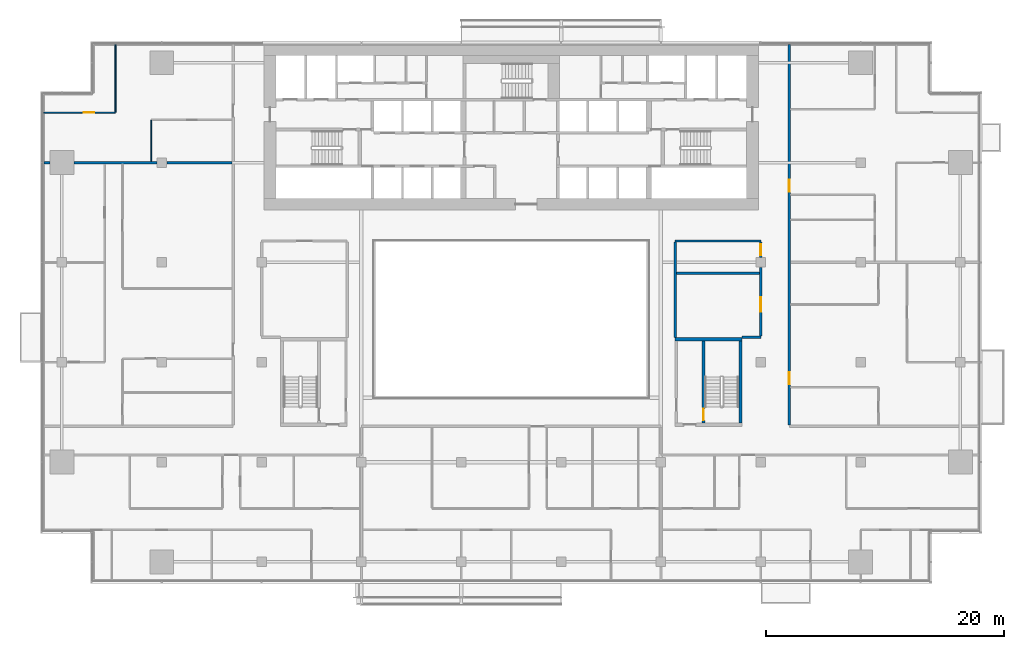
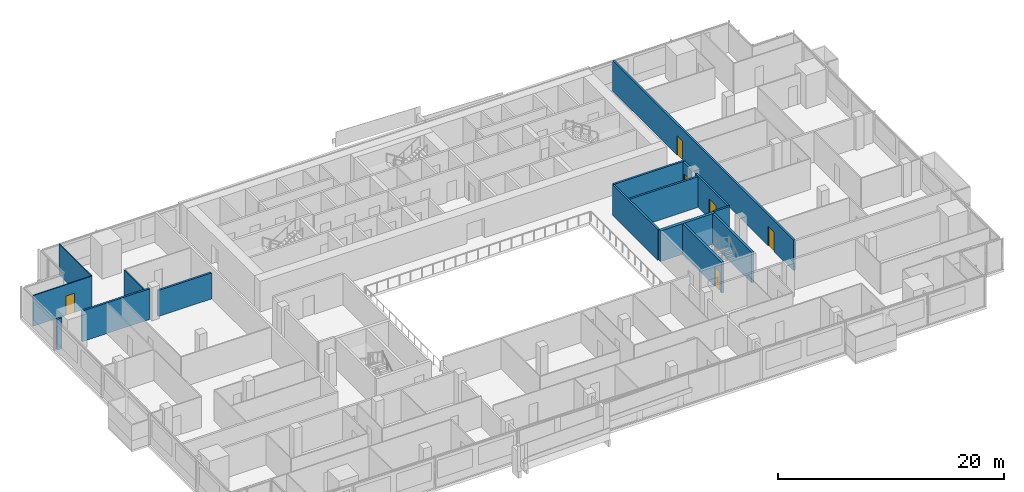
# One storey, part 19 of 26: 16 walls, 6 doors, 6 openings.
"""IFC4 building model written with IfcOpenShell, lengths in metres."""

from ifc_helpers import new_model, si_unit, direction, frame, frame_2d, origin, place, context, subcontext, project, spatial, rectangle, extrude, material, layer, layer_set, type_object, element, fill, save


model = new_model("IFC4")

# Units and contexts
model_context = context("Model", 3, precision=1e-05, world=origin(), true_north=direction((0.0, 1.0)))
body_context = subcontext(model_context, "Body", "Model", "MODEL_VIEW")
ifc_project = project(units=[si_unit("LENGTHUNIT", "METRE"), si_unit("AREAUNIT", "SQUARE_METRE"), si_unit("VOLUMEUNIT", "CUBIC_METRE"), si_unit("PLANEANGLEUNIT", "RADIAN"), si_unit("MASSUNIT", "GRAM", prefix="KILO")], contexts=[model_context])

# Site, building, storey
site_placement = place(None, origin())
site = spatial("IfcSite", under=ifc_project, at=site_placement, CompositionType="ELEMENT")
building_placement = place(site_placement, origin())
building = spatial("IfcBuilding", under=site, at=building_placement, Name="Saffron Gate Tower", CompositionType="ELEMENT")
storey_placement = place(building_placement, frame((0.0, 0.0, 120.449951171875)))
storey = spatial("IfcBuildingStorey", under=building, at=storey_placement, Name="L28", CompositionType="ELEMENT", Elevation=120.449951171875)

# Wall, opening, door
ifc_material_1 = material(Name="Concrete C70", Category="concrete")
ifc_layer_1 = layer(ifc_material_1, 0.25)
ifc_layer_set_1 = layer_set([ifc_layer_1], Name="CW2 RC core wall 250 C70")
wall_type_1 = type_object("IfcWallType", Name="CW2 RC core wall 250 C70", PredefinedType="SOLIDWALL", material=ifc_layer_set_1)
wall_1_placement = place(storey_placement, frame((103.77490234375, 43.5, 0.0), z_axis=(0.0, 0.0, 1.0), x_axis=(0.0, 1.0, 0.0)))
wall_1 = element("IfcWall", 1, at=wall_1_placement, inside=storey, type_object=wall_type_1, Name="Wall CW2-L28-E-3", PredefinedType="SOLIDWALL", context=body_context, shape_type="SweptSolid", body=[
    extrude(rectangle(XDim=6.89990234375, YDim=0.25, at=frame_2d((3.449951171875, 0.0))), origin(), (0.0, 0.0, 1.0), 3.320068359375),
])
opening_1_placement = place(wall_1_placement, frame((0.199951171875, 0.0, 0.0)))
opening_1 = element("IfcOpeningElement", 2, at=opening_1_placement, cuts=wall_1, Name="Opening CR-23", PredefinedType="OPENING", context=body_context, shape_type="SweptSolid", body=[
    extrude(rectangle(XDim=1.0, YDim=2.10009765625, at=frame_2d((0.5, 1.050048828125))), frame((0.0, 0.135009765625, 0.0), z_axis=(0.0, -1.0, 0.0), x_axis=(1.0, 0.0, 0.0)), (0.0, 0.0, 1.0), 0.27001953125),
])
ifc_material_2 = material(Name="Steel fire door set", Category="steel")
door_type_1 = type_object("IfcDoorType", Name="CD5 Stair door 1000x2100 EI 120", OperationType="NOTDEFINED", PredefinedType="DOOR", material=ifc_material_2)
door_1_placement = place(opening_1_placement, origin())
door_1 = element("IfcDoor", 3, at=door_1_placement, inside=storey, type_object=door_type_1, Name="DOOR CR-23", OperationType="SINGLE_SWING_RIGHT", OverallHeight=2.10009765625, OverallWidth=1.0, PredefinedType="DOOR", context=body_context, shape_type="SweptSolid", body=[
    extrude(rectangle(XDim=1.0, YDim=2.10009765625, at=frame_2d((0.5, 1.050048828125))), frame((0.0, 0.02490234375, 0.0), z_axis=(0.0, -1.0, 0.0), x_axis=(1.0, 0.0, 0.0)), (0.0, 0.0, 1.0), 0.050048828125),
])
fill(opening_1, door_1)

# Walls
wall_2_placement = place(storey_placement, frame((106.875, 43.5, 0.0), z_axis=(0.0, 0.0, 1.0), x_axis=(0.0, 1.0, 0.0)))
element("IfcWall", 4, at=wall_2_placement, inside=storey, type_object=wall_type_1, Name="Wall CW2-L28-E-4", PredefinedType="SOLIDWALL", context=body_context, shape_type="SweptSolid", body=[
    extrude(rectangle(XDim=6.89990234375, YDim=0.25, at=frame_2d((3.449951171875, 0.0))), origin(), (0.0, 0.0, 1.0), 3.320068359375),
])
ifc_layer_2 = layer(ifc_material_1, 0.300048828125)
ifc_layer_set_2 = layer_set([ifc_layer_2], Name="CW5 RC core wall 300 C70")
wall_type_2 = type_object("IfcWallType", Name="CW5 RC core wall 300 C70", PredefinedType="SOLIDWALL", material=ifc_layer_set_2)
wall_3_placement = place(storey_placement, frame((101.39990234375, 50.550048828125, 0.0), z_axis=(0.0, 0.0, 1.0), x_axis=(1.0, 0.0, 0.0)))
element("IfcWall", 5, at=wall_3_placement, inside=storey, type_object=wall_type_2, Name="Wall CW5-L28-E-5", PredefinedType="SOLIDWALL", context=body_context, shape_type="SweptSolid", body=[
    extrude(rectangle(XDim=5.60009765625, YDim=0.300048828125, at=frame_2d((2.800048828125, 0.0))), origin(), (0.0, 0.0, 1.0), 3.320068359375),
])

# Wall, opening, door
ifc_material_3 = material(Name="Plasterboard on steel studs", Category="steel")
ifc_layer_3 = layer(ifc_material_3, 0.10009765625)
ifc_layer_set_3 = layer_set([ifc_layer_3], Name="PW1 Partition 100")
wall_type_3 = type_object("IfcWallType", Name="PW1 Partition 100", PredefinedType="PARTITIONING", material=ifc_layer_set_3)
wall_4_placement = place(storey_placement, frame((48.280029296875, 69.60009765625, 0.0), z_axis=(0.0, 0.0, 1.0), x_axis=(1.0, 0.0, 0.0)))
wall_4 = element("IfcWall", 6, at=wall_4_placement, inside=storey, type_object=wall_type_3, Name="Partition B3-44", PredefinedType="PARTITIONING", context=body_context, shape_type="SweptSolid", body=[
    extrude(rectangle(XDim=6.02001953125, YDim=0.10009765625, at=frame_2d((3.010009765625, 0.0))), origin(), (0.0, 0.0, 1.0), 3.320068359375),
])
opening_2_placement = place(wall_4_placement, frame((3.3388671875, 0.0, 0.0)))
opening_2 = element("IfcOpeningElement", 7, at=opening_2_placement, cuts=wall_4, Name="Opening B3-25", PredefinedType="OPENING", context=body_context, shape_type="SweptSolid", body=[
    extrude(rectangle(XDim=0.89990234375, YDim=2.10009765625, at=frame_2d((0.449951171875, 1.050048828125))), frame((0.0, 0.06005859375, 0.0), z_axis=(0.0, -1.0, 0.0), x_axis=(1.0, 0.0, 0.0)), (0.0, 0.0, 1.0), 0.1201171875),
])
ifc_material_4 = material(Name="Timber door set", Category="wood")
door_type_2 = type_object("IfcDoorType", Name="RD1 Room door 900x2100", OperationType="NOTDEFINED", PredefinedType="DOOR", material=ifc_material_4)
door_2_placement = place(opening_2_placement, origin())
door_2 = element("IfcDoor", 8, at=door_2_placement, inside=storey, type_object=door_type_2, Name="Door B3-25", OperationType="SINGLE_SWING_RIGHT", OverallHeight=2.10009765625, OverallWidth=0.89990234375, PredefinedType="DOOR", context=body_context, shape_type="SweptSolid", body=[
    extrude(rectangle(XDim=0.89990234375, YDim=2.10009765625, at=frame_2d((0.449951171875, 1.050048828125))), frame((0.0, 0.02490234375, 0.0), z_axis=(0.0, -1.0, 0.0), x_axis=(1.0, 0.0, 0.0)), (0.0, 0.0, 1.0), 0.050048828125),
])
fill(opening_2, door_2)

# Walls
wall_5_placement = place(storey_placement, frame((54.300048828125, 75.320068359375, 0.0), z_axis=(0.0, 0.0, 1.0), x_axis=(0.0, -1.0, 0.0)))
element("IfcWall", 9, at=wall_5_placement, inside=storey, type_object=wall_type_3, Name="Partition B3-49", PredefinedType="PARTITIONING", context=body_context, shape_type="SweptSolid", body=[
    extrude(rectangle(XDim=5.670166015625, YDim=0.10009765625, at=frame_2d((2.8349609375, 0.0))), origin(), (0.0, 0.0, 1.0), 3.320068359375),
])
wall_6_placement = place(storey_placement, frame((57.300048828125, 68.949951171875, 0.0), z_axis=(0.0, 0.0, 1.0), x_axis=(0.0, -1.0, 0.0)))
element("IfcWall", 10, at=wall_6_placement, inside=storey, type_object=wall_type_3, Name="Partition B3-53", PredefinedType="PARTITIONING", context=body_context, shape_type="SweptSolid", body=[
    extrude(rectangle(XDim=3.449951171875, YDim=0.10009765625, at=frame_2d((1.72509765625, 0.0))), origin(), (0.0, 0.0, 1.0), 3.320068359375),
])
ifc_material_5 = material(Name="Clay brick masonry, rendered", Category="masonry")
ifc_layer_4 = layer(ifc_material_5, 0.199951171875)
ifc_layer_set_4 = layer_set([ifc_layer_4], Name="PW2 Demising wall 200")
wall_type_4 = type_object("IfcWallType", Name="PW2 Demising wall 200", PredefinedType="PARTITIONING", material=ifc_layer_set_4)
wall_7_placement = place(storey_placement, frame((48.280029296875, 65.39990234375, 0.0), z_axis=(0.0, 0.0, 1.0), x_axis=(1.0, 0.0, 0.0)))
element("IfcWall", 11, at=wall_7_placement, inside=storey, type_object=wall_type_4, Name="Wall B3-38", PredefinedType="PARTITIONING", context=body_context, shape_type="SweptSolid", body=[
    extrude(rectangle(XDim=0.5, YDim=0.199951171875, at=frame_2d((0.25, 0.0))), origin(), (0.0, 0.0, 1.0), 3.320068359375),
])
wall_8_placement = place(storey_placement, frame((50.820068359375, 65.39990234375, 0.0), z_axis=(0.0, 0.0, 1.0), x_axis=(1.0, 0.0, 0.0)))
element("IfcWall", 12, at=wall_8_placement, inside=storey, type_object=wall_type_4, Name="Wall B3-39", PredefinedType="PARTITIONING", context=body_context, shape_type="SweptSolid", body=[
    extrude(rectangle(XDim=6.9599609375, YDim=0.199951171875, at=frame_2d((3.47998046875, 0.0))), origin(), (0.0, 0.0, 1.0), 3.320068359375),
])
wall_9_placement = place(storey_placement, frame((58.6201171875, 65.39990234375, 0.0), z_axis=(0.0, 0.0, 1.0), x_axis=(1.0, 0.0, 0.0)))
element("IfcWall", 13, at=wall_9_placement, inside=storey, type_object=wall_type_4, Name="Wall B3-40", PredefinedType="PARTITIONING", context=body_context, shape_type="SweptSolid", body=[
    extrude(rectangle(XDim=5.47998046875, YDim=0.199951171875, at=frame_2d((2.739990234375, 0.0))), origin(), (0.0, 0.0, 1.0), 2.820068359375),
])
ifc_layer_5 = layer(ifc_material_5, 0.199951171875)
ifc_layer_set_5 = layer_set([ifc_layer_5], Name="PW3 Corridor wall 200")
wall_type_5 = type_object("IfcWallType", Name="PW3 Corridor wall 200", PredefinedType="PARTITIONING", material=ifc_layer_set_5)
wall_10_placement = place(storey_placement, frame((107.0, 50.699951171875, 0.0), z_axis=(0.0, 0.0, 1.0), x_axis=(1.0, 0.0, 0.0)))
element("IfcWall", 14, at=wall_10_placement, inside=storey, type_object=wall_type_5, Name="Wall B3-25", PredefinedType="PARTITIONING", context=body_context, shape_type="SweptSolid", body=[
    extrude(rectangle(XDim=1.60009765625, YDim=0.199951171875, at=frame_2d((0.800048828125, 0.0))), origin(), (0.0, 0.0, 1.0), 3.320068359375),
])
wall_11_placement = place(storey_placement, frame((101.39990234375, 58.800048828125, 0.0), z_axis=(0.0, 0.0, 1.0), x_axis=(1.0, 0.0, 0.0)))
element("IfcWall", 15, at=wall_11_placement, inside=storey, type_object=wall_type_5, Name="Wall B3-35", PredefinedType="PARTITIONING", context=body_context, shape_type="SweptSolid", body=[
    extrude(rectangle(XDim=7.2001953125, YDim=0.199951171875, at=frame_2d((3.60009765625, 0.0))), origin(), (0.0, 0.0, 1.0), 3.320068359375),
])
wall_12_placement = place(storey_placement, frame((101.39990234375, 58.699951171875, 0.0), z_axis=(0.0, 0.0, 1.0), x_axis=(0.0, -1.0, 0.0)))
element("IfcWall", 16, at=wall_12_placement, inside=storey, type_object=wall_type_5, Name="Wall B3-78", PredefinedType="PARTITIONING", context=body_context, shape_type="SweptSolid", body=[
    extrude(rectangle(XDim=8.0, YDim=0.199951171875, at=frame_2d((4.0, 0.0))), origin(), (0.0, 0.0, 1.0), 3.320068359375),
])

# Wall, opening, door
wall_13_placement = place(storey_placement, frame((108.60009765625, 50.800048828125, 0.0), z_axis=(0.0, 0.0, 1.0), x_axis=(0.0, 1.0, 0.0)))
wall_13 = element("IfcWall", 17, at=wall_13_placement, inside=storey, type_object=wall_type_5, Name="Wall B3-81", PredefinedType="PARTITIONING", context=body_context, shape_type="SweptSolid", body=[
    extrude(rectangle(XDim=5.780029296875, YDim=0.199951171875, at=frame_2d((2.89013671875, 0.0))), origin(), (0.0, 0.0, 1.0), 3.320068359375),
])
opening_3_placement = place(wall_13_placement, frame((2.050048828125, 0.0, 0.0)))
opening_3 = element("IfcOpeningElement", 18, at=opening_3_placement, cuts=wall_13, Name="Opening B3-44", PredefinedType="OPENING", context=body_context, shape_type="SweptSolid", body=[
    extrude(rectangle(XDim=1.199951171875, YDim=2.10009765625, at=frame_2d((0.60009765625, 1.050048828125))), frame((0.0, 0.10986328125, 0.0), z_axis=(0.0, -1.0, 0.0), x_axis=(1.0, 0.0, 0.0)), (0.0, 0.0, 1.0), 0.219970703125),
])
door_type_3 = type_object("IfcDoorType", Name="HD1 Hall door 1200x2100", OperationType="NOTDEFINED", PredefinedType="DOOR", material=ifc_material_4)
door_3_placement = place(opening_3_placement, origin())
door_3 = element("IfcDoor", 19, at=door_3_placement, inside=storey, type_object=door_type_3, Name="Door B3-44", OperationType="SINGLE_SWING_RIGHT", OverallHeight=2.10009765625, OverallWidth=1.199951171875, PredefinedType="DOOR", context=body_context, shape_type="SweptSolid", body=[
    extrude(rectangle(XDim=1.199951171875, YDim=2.10009765625, at=frame_2d((0.60009765625, 1.050048828125))), frame((0.0, 0.02490234375, 0.0), z_axis=(0.0, -1.0, 0.0), x_axis=(1.0, 0.0, 0.0)), (0.0, 0.0, 1.0), 0.050048828125),
])
fill(opening_3, door_3)

wall_14_placement = place(storey_placement, frame((108.60009765625, 57.419921875, 0.0), z_axis=(0.0, 0.0, 1.0), x_axis=(0.0, 1.0, 0.0)))
wall_14 = element("IfcWall", 20, at=wall_14_placement, inside=storey, type_object=wall_type_5, Name="Wall B3-82", PredefinedType="PARTITIONING", context=body_context, shape_type="SweptSolid", body=[
    extrude(rectangle(XDim=1.280029296875, YDim=0.199951171875, at=frame_2d((0.64013671875, 0.0))), origin(), (0.0, 0.0, 1.0), 3.320068359375),
])
opening_4_placement = place(wall_14_placement, frame((0.18994140625, 0.0, 0.0)))
opening_4 = element("IfcOpeningElement", 21, at=opening_4_placement, cuts=wall_14, Name="Opening B3-31", PredefinedType="OPENING", context=body_context, shape_type="SweptSolid", body=[
    extrude(rectangle(XDim=0.89990234375, YDim=2.10009765625, at=frame_2d((0.449951171875, 1.050048828125))), frame((0.0, 0.10986328125, 0.0), z_axis=(0.0, -1.0, 0.0), x_axis=(1.0, 0.0, 0.0)), (0.0, 0.0, 1.0), 0.219970703125),
])
door_4_placement = place(opening_4_placement, origin())
door_4 = element("IfcDoor", 22, at=door_4_placement, inside=storey, type_object=door_type_2, Name="Door B3-31", OperationType="SINGLE_SWING_RIGHT", OverallHeight=2.10009765625, OverallWidth=0.89990234375, PredefinedType="DOOR", context=body_context, shape_type="SweptSolid", body=[
    extrude(rectangle(XDim=0.89990234375, YDim=2.10009765625, at=frame_2d((0.449951171875, 1.050048828125))), frame((0.0, 0.02490234375, 0.0), z_axis=(0.0, -1.0, 0.0), x_axis=(1.0, 0.0, 0.0)), (0.0, 0.0, 1.0), 0.050048828125),
])
fill(opening_4, door_4)

# Wall, openings, doors
wall_15_placement = place(storey_placement, frame((111.0, 75.320068359375, 0.0), z_axis=(0.0, 0.0, 1.0), x_axis=(0.0, -1.0, 0.0)))
wall_15 = element("IfcWall", 23, at=wall_15_placement, inside=storey, type_object=wall_type_5, Name="Wall B3-85", PredefinedType="PARTITIONING", context=body_context, shape_type="SweptSolid", body=[
    extrude(rectangle(XDim=32.02001953125, YDim=0.199951171875, at=frame_2d((16.010009765625, 0.0))), origin(), (0.0, 0.0, 1.0), 3.320068359375),
])
opening_5_placement = place(wall_15_placement, frame((11.3701171875, 0.0, 0.0)))
opening_5 = element("IfcOpeningElement", 24, at=opening_5_placement, cuts=wall_15, Name="Opening B3-7", PredefinedType="OPENING", context=body_context, shape_type="SweptSolid", body=[
    extrude(rectangle(XDim=1.0, YDim=2.10009765625, at=frame_2d((0.5, 1.050048828125))), frame((0.0, 0.10986328125, 0.0), z_axis=(0.0, -1.0, 0.0), x_axis=(1.0, 0.0, 0.0)), (0.0, 0.0, 1.0), 0.219970703125),
])
opening_6_placement = place(wall_15_placement, frame((27.570068359375, 0.0, 0.0)))
opening_6 = element("IfcOpeningElement", 25, at=opening_6_placement, cuts=wall_15, Name="Opening B3-6", PredefinedType="OPENING", context=body_context, shape_type="SweptSolid", body=[
    extrude(rectangle(XDim=1.0, YDim=2.10009765625, at=frame_2d((0.5, 1.050048828125))), frame((0.0, 0.10986328125, 0.0), z_axis=(0.0, -1.0, 0.0), x_axis=(1.0, 0.0, 0.0)), (0.0, 0.0, 1.0), 0.219970703125),
])
ifc_material_6 = material(Name="Timber fire door set", Category="wood")
door_type_4 = type_object("IfcDoorType", Name="FD1 Flat entry door 1000x2100", OperationType="NOTDEFINED", PredefinedType="DOOR", material=ifc_material_6)
door_5_placement = place(opening_5_placement, origin())
door_5 = element("IfcDoor", 26, at=door_5_placement, inside=storey, type_object=door_type_4, Name="Door B3-7", OperationType="SINGLE_SWING_LEFT", OverallHeight=2.10009765625, OverallWidth=1.0, PredefinedType="DOOR", context=body_context, shape_type="SweptSolid", body=[
    extrude(rectangle(XDim=1.0, YDim=2.10009765625, at=frame_2d((0.5, 1.050048828125))), frame((0.0, 0.02490234375, 0.0), z_axis=(0.0, -1.0, 0.0), x_axis=(1.0, 0.0, 0.0)), (0.0, 0.0, 1.0), 0.050048828125),
])
fill(opening_5, door_5)
door_6_placement = place(opening_6_placement, origin())
door_6 = element("IfcDoor", 27, at=door_6_placement, inside=storey, type_object=door_type_4, Name="Door B3-6", OperationType="SINGLE_SWING_LEFT", OverallHeight=2.10009765625, OverallWidth=1.0, PredefinedType="DOOR", context=body_context, shape_type="SweptSolid", body=[
    extrude(rectangle(XDim=1.0, YDim=2.10009765625, at=frame_2d((0.5, 1.050048828125))), frame((0.0, 0.02490234375, 0.0), z_axis=(0.0, -1.0, 0.0), x_axis=(1.0, 0.0, 0.0)), (0.0, 0.0, 1.0), 0.050048828125),
])
fill(opening_6, door_6)

# Wall
ifc_layer_6 = layer(ifc_material_5, 0.199951171875)
ifc_layer_set_6 = layer_set([ifc_layer_6], Name="PW5 Room wall 200")
wall_type_6 = type_object("IfcWallType", Name="PW5 Room wall 200", PredefinedType="PARTITIONING", material=ifc_layer_set_6)
wall_16_placement = place(storey_placement, frame((101.5, 56.10009765625, 0.0), z_axis=(0.0, 0.0, 1.0), x_axis=(1.0, 0.0, 0.0)))
element("IfcWall", 28, at=wall_16_placement, inside=storey, type_object=wall_type_6, Name="Wall B3-28", PredefinedType="PARTITIONING", context=body_context, shape_type="SweptSolid", body=[
    extrude(rectangle(XDim=7.0, YDim=0.199951171875, at=frame_2d((3.5, 0.0))), origin(), (0.0, 0.0, 1.0), 3.320068359375),
])

save(model, "model.ifc")
